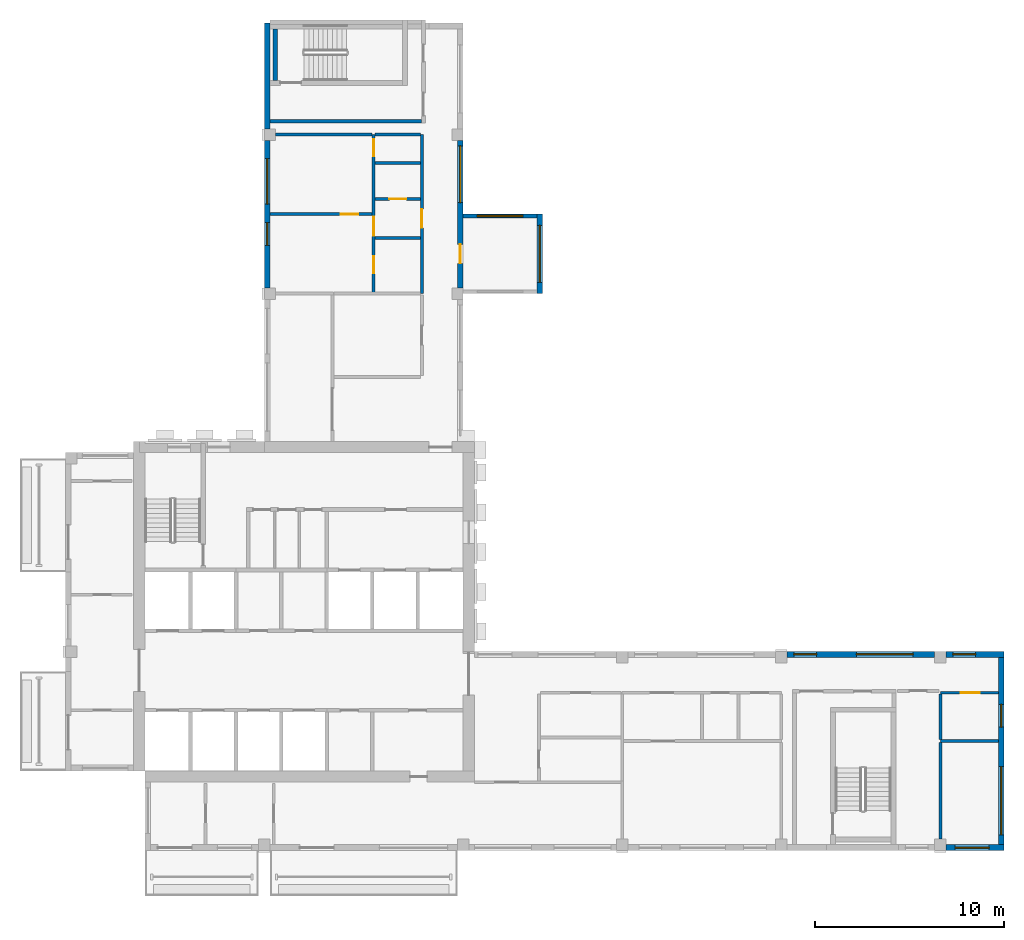
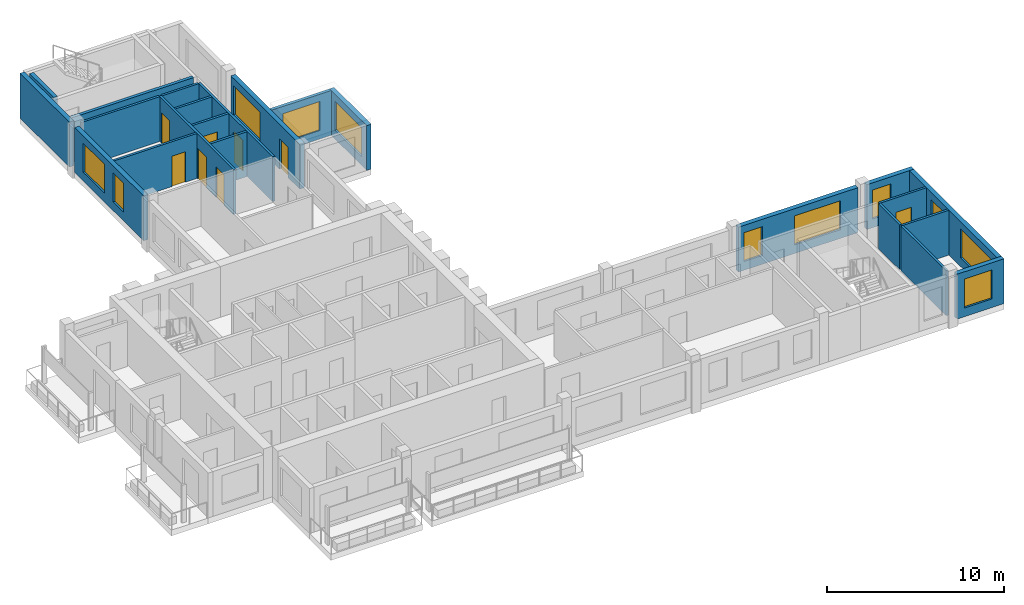
# One storey, part 5 of 10: 23 walls, 11 windows, 8 doors, 19 openings.
"""IFC4 building model written with IfcOpenShell, lengths in metres."""

from ifc_helpers import new_model, si_unit, direction, frame, frame_2d, origin, place, context, subcontext, project, spatial, rectangle, extrude, source, transform, mapped, material, layer, layer_set, type_object, element, fill, save


model = new_model("IFC4")

# Units and contexts
model_context = context("Model", 3, precision=1e-05, world=origin(), true_north=direction((0.0, 1.0)))
body_context = subcontext(model_context, "Body", "Model", "MODEL_VIEW")
ifc_project = project(units=[si_unit("LENGTHUNIT", "METRE"), si_unit("AREAUNIT", "SQUARE_METRE"), si_unit("VOLUMEUNIT", "CUBIC_METRE"), si_unit("PLANEANGLEUNIT", "RADIAN"), si_unit("MASSUNIT", "GRAM", prefix="KILO")], contexts=[model_context])

# Site, building, storey
site_placement = place(None, origin())
site = spatial("IfcSite", under=ifc_project, at=site_placement, CompositionType="ELEMENT")
building_placement = place(site_placement, origin())
building = spatial("IfcBuilding", under=site, at=building_placement, Name="Aurelian Terraces", CompositionType="ELEMENT")
storey_placement = place(building_placement, frame((0.0, 0.0, 354.5)))
storey = spatial("IfcBuildingStorey", under=building, at=storey_placement, Name="L84", CompositionType="ELEMENT", Elevation=354.5)

# Wall, opening, window
ifc_material_1 = material(Name="Concrete fc' 40 MPa", Category="concrete")
ifc_layer_1 = layer(ifc_material_1, 0.2)
ifc_layer_set_1 = layer_set([ifc_layer_1], Name="BOX BEARING WALL 200")
wall_type_1 = type_object("IfcWallType", Name="BOX BEARING WALL 200", PredefinedType="SOLIDWALL", material=ifc_layer_set_1)
shared_shape_1 = source(origin(), body_context, "Body", "SweptSolid", [
    extrude(rectangle(XDim=3.9, YDim=0.2, at=frame_2d((1.95, 0.0))), origin(), (0.0, 0.0, 1.0), 3.1),
])
wall_1_placement = place(storey_placement, frame((21.0, 33.5, 0.0), z_axis=(0.0, 0.0, 1.0), x_axis=(1.0, 0.0, 0.0)))
wall_1 = element("IfcWall", 1, at=wall_1_placement, inside=storey, type_object=wall_type_1, Name="Box return L84 J96.2", PredefinedType="SOLIDWALL", context=body_context, shape_type="MappedRepresentation", body=[
    mapped(shared_shape_1, transform((0.0, 0.0, 0.0), scale=1.0)),
])
shared_shape_2 = source(origin(), body_context, "Body", "SweptSolid", [
    extrude(rectangle(XDim=2.4, YDim=2.0, at=frame_2d((1.2, 1.0))), frame((0.0, 0.11, 0.0), z_axis=(0.0, -1.0, 0.0), x_axis=(1.0, 0.0, 0.0)), (0.0, 0.0, 1.0), 0.22),
])
opening_1_placement = place(wall_1_placement, frame((0.75, 0.0, 0.6)))
opening_1 = element("IfcOpeningElement", 2, at=opening_1_placement, cuts=wall_1, Name="Opening W2420", PredefinedType="OPENING", context=body_context, shape_type="MappedRepresentation", body=[
    mapped(shared_shape_2, transform((0.0, 0.0, 0.0), scale=1.0)),
])
ifc_material_2 = material(Name="Clear glazing", Category="glass")
window_type_1 = type_object("IfcWindowType", Name="W-2400x2000", PartitioningType="SINGLE_PANEL", PredefinedType="WINDOW", material=ifc_material_2)
shared_shape_3 = source(origin(), body_context, "Body", "SweptSolid", [
    extrude(rectangle(XDim=2.4, YDim=2.0, at=frame_2d((1.2, 1.0))), frame((0.0, 0.03, 0.0), z_axis=(0.0, -1.0, 0.0), x_axis=(1.0, 0.0, 0.0)), (0.0, 0.0, 1.0), 0.06),
])
window_1_placement = place(opening_1_placement, origin())
window_1 = element("IfcWindow", 3, at=window_1_placement, inside=storey, type_object=window_type_1, Name="Window L84 J96-S2", OverallHeight=2.0, OverallWidth=2.4, PartitioningType="SINGLE_PANEL", PredefinedType="WINDOW", context=body_context, shape_type="MappedRepresentation", body=[
    mapped(shared_shape_3, transform((0.0, 0.0, 0.0), scale=1.0)),
])
fill(opening_1, window_1)

# Wall, openings, windows
ifc_material_3 = material(Name="Terracotta rainscreen cladding", Category="masonry")
ifc_layer_2 = layer(ifc_material_3, 0.3)
ifc_layer_set_2 = layer_set([ifc_layer_2], Name="EW-300")
wall_type_2 = type_object("IfcWallType", Name="EW-300", PredefinedType="STANDARD", material=ifc_layer_set_2)
shared_shape_4 = source(origin(), body_context, "Body", "SweptSolid", [
    extrude(rectangle(XDim=10.5, YDim=0.3, at=frame_2d((5.25, 0.0))), origin(), (0.0, 0.0, 1.0), 3.1),
])
wall_2_placement = place(storey_placement, frame((49.41, 0.0, 0.0), z_axis=(0.0, 0.0, 1.0), x_axis=(0.0, 1.0, 0.0)))
wall_2 = element("IfcWall", 4, at=wall_2_placement, inside=storey, type_object=wall_type_2, Name="External wall L84 F02.7", PredefinedType="STANDARD", context=body_context, shape_type="MappedRepresentation", body=[
    mapped(shared_shape_4, transform((0.0, 0.0, 0.0), scale=1.0)),
])
shared_shape_5 = source(origin(), body_context, "Body", "SweptSolid", [
    extrude(rectangle(XDim=3.6, YDim=2.0, at=frame_2d((1.8, 1.0))), frame((0.0, 0.16, 0.0), z_axis=(0.0, -1.0, 0.0), x_axis=(1.0, 0.0, 0.0)), (0.0, 0.0, 1.0), 0.32),
])
opening_2_placement = place(wall_2_placement, frame((0.825, 0.0, 0.6)))
opening_2 = element("IfcOpeningElement", 5, at=opening_2_placement, cuts=wall_2, Name="Opening W3620", PredefinedType="OPENING", context=body_context, shape_type="MappedRepresentation", body=[
    mapped(shared_shape_5, transform((0.0, 0.0, 0.0), scale=1.0)),
])
shared_shape_6 = source(origin(), body_context, "Body", "SweptSolid", [
    extrude(rectangle(XDim=1.2, YDim=2.0, at=frame_2d((0.6, 1.0))), frame((0.0, 0.16, 0.0), z_axis=(0.0, -1.0, 0.0), x_axis=(1.0, 0.0, 0.0)), (0.0, 0.0, 1.0), 0.32),
])
opening_3_placement = place(wall_2_placement, frame((6.5125, 0.0, 0.6)))
opening_3 = element("IfcOpeningElement", 6, at=opening_3_placement, cuts=wall_2, Name="Opening W1220", PredefinedType="OPENING", context=body_context, shape_type="MappedRepresentation", body=[
    mapped(shared_shape_6, transform((0.0, 0.0, 0.0), scale=1.0)),
])
window_type_2 = type_object("IfcWindowType", Name="W-1200x2000", PartitioningType="SINGLE_PANEL", PredefinedType="WINDOW", material=ifc_material_2)
shared_shape_7 = source(origin(), body_context, "Body", "SweptSolid", [
    extrude(rectangle(XDim=1.2, YDim=2.0, at=frame_2d((0.6, 1.0))), frame((0.0, 0.03, 0.0), z_axis=(0.0, -1.0, 0.0), x_axis=(1.0, 0.0, 0.0)), (0.0, 0.0, 1.0), 0.06),
])
window_2_placement = place(opening_3_placement, origin())
window_2 = element("IfcWindow", 7, at=window_2_placement, inside=storey, type_object=window_type_2, Name="Window L84 L84-F02-07-1", OverallHeight=2.0, OverallWidth=1.2, PartitioningType="SINGLE_PANEL", PredefinedType="WINDOW", context=body_context, shape_type="MappedRepresentation", body=[
    mapped(shared_shape_7, transform((0.0, 0.0, 0.0), scale=1.0)),
])
fill(opening_3, window_2)
window_type_3 = type_object("IfcWindowType", Name="W-3600x2000", PartitioningType="SINGLE_PANEL", PredefinedType="WINDOW", material=ifc_material_2)
shared_shape_8 = source(origin(), body_context, "Body", "SweptSolid", [
    extrude(rectangle(XDim=3.6, YDim=2.0, at=frame_2d((1.8, 1.0))), frame((0.0, 0.03, 0.0), z_axis=(0.0, -1.0, 0.0), x_axis=(1.0, 0.0, 0.0)), (0.0, 0.0, 1.0), 0.06),
])
window_3_placement = place(opening_2_placement, origin())
window_3 = element("IfcWindow", 8, at=window_3_placement, inside=storey, type_object=window_type_3, Name="Window L84 L84-F02-07-0", OverallHeight=2.0, OverallWidth=3.6, PartitioningType="SINGLE_PANEL", PredefinedType="WINDOW", context=body_context, shape_type="MappedRepresentation", body=[
    mapped(shared_shape_8, transform((0.0, 0.0, 0.0), scale=1.0)),
])
fill(opening_2, window_3)

# Wall, opening, window
shared_shape_9 = source(origin(), body_context, "Body", "SweptSolid", [
    extrude(rectangle(XDim=3.06, YDim=0.3, at=frame_2d((1.53, 0.0))), origin(), (0.0, 0.0, 1.0), 3.1),
])
wall_3_placement = place(storey_placement, frame((46.5, 0.15, 0.0), z_axis=(0.0, 0.0, 1.0), x_axis=(1.0, 0.0, 0.0)))
wall_3 = element("IfcWall", 9, at=wall_3_placement, inside=storey, type_object=wall_type_2, Name="External wall L84 F01.6", PredefinedType="STANDARD", context=body_context, shape_type="MappedRepresentation", body=[
    mapped(shared_shape_9, transform((0.0, 0.0, 0.0), scale=1.0)),
])
shared_shape_10 = source(origin(), body_context, "Body", "SweptSolid", [
    extrude(rectangle(XDim=1.8, YDim=2.0, at=frame_2d((0.9, 1.0))), frame((0.0, 0.16, 0.0), z_axis=(0.0, -1.0, 0.0), x_axis=(1.0, 0.0, 0.0)), (0.0, 0.0, 1.0), 0.32),
])
opening_4_placement = place(wall_3_placement, frame((0.48, 0.0, 0.6)))
opening_4 = element("IfcOpeningElement", 10, at=opening_4_placement, cuts=wall_3, Name="Opening W1820", PredefinedType="OPENING", context=body_context, shape_type="MappedRepresentation", body=[
    mapped(shared_shape_10, transform((0.0, 0.0, 0.0), scale=1.0)),
])
window_type_4 = type_object("IfcWindowType", Name="W-1800x2000", PartitioningType="SINGLE_PANEL", PredefinedType="WINDOW", material=ifc_material_2)
shared_shape_11 = source(origin(), body_context, "Body", "SweptSolid", [
    extrude(rectangle(XDim=1.8, YDim=2.0, at=frame_2d((0.9, 1.0))), frame((0.0, 0.03, 0.0), z_axis=(0.0, -1.0, 0.0), x_axis=(1.0, 0.0, 0.0)), (0.0, 0.0, 1.0), 0.06),
])
window_4_placement = place(opening_4_placement, origin())
window_4 = element("IfcWindow", 11, at=window_4_placement, inside=storey, type_object=window_type_4, Name="Window L84 L84-F01-06-0", OverallHeight=2.0, OverallWidth=1.8, PartitioningType="SINGLE_PANEL", PredefinedType="WINDOW", context=body_context, shape_type="MappedRepresentation", body=[
    mapped(shared_shape_11, transform((0.0, 0.0, 0.0), scale=1.0)),
])
fill(opening_4, window_4)

wall_4_placement = place(storey_placement, frame((49.56, 10.35, 0.0), z_axis=(0.0, 0.0, 1.0), x_axis=(-1.0, 0.0, 0.0)))
wall_4 = element("IfcWall", 12, at=wall_4_placement, inside=storey, type_object=wall_type_2, Name="External wall L84 F03.8", PredefinedType="STANDARD", context=body_context, shape_type="MappedRepresentation", body=[
    mapped(shared_shape_9, transform((0.0, 0.0, 0.0), scale=1.0)),
])
opening_5_placement = place(wall_4_placement, frame((1.5, 0.0, 0.6)))
opening_5 = element("IfcOpeningElement", 13, at=opening_5_placement, cuts=wall_4, Name="Opening W1220", PredefinedType="OPENING", context=body_context, shape_type="MappedRepresentation", body=[
    mapped(shared_shape_6, transform((0.0, 0.0, 0.0), scale=1.0)),
])
window_5_placement = place(opening_5_placement, origin())
window_5 = element("IfcWindow", 14, at=window_5_placement, inside=storey, type_object=window_type_2, Name="Window L84 L84-F03-08-0", OverallHeight=2.0, OverallWidth=1.2, PartitioningType="SINGLE_PANEL", PredefinedType="WINDOW", context=body_context, shape_type="MappedRepresentation", body=[
    mapped(shared_shape_7, transform((0.0, 0.0, 0.0), scale=1.0)),
])
fill(opening_5, window_5)

# Wall, openings, windows
shared_shape_12 = source(origin(), body_context, "Body", "SweptSolid", [
    extrude(rectangle(XDim=7.8, YDim=0.3, at=frame_2d((3.9, 0.0))), origin(), (0.0, 0.0, 1.0), 3.1),
])
wall_5_placement = place(storey_placement, frame((45.9, 10.35, 0.0), z_axis=(0.0, 0.0, 1.0), x_axis=(-1.0, 0.0, 0.0)))
wall_5 = element("IfcWall", 15, at=wall_5_placement, inside=storey, type_object=wall_type_2, Name="External wall L84 F03.8", PredefinedType="STANDARD", context=body_context, shape_type="MappedRepresentation", body=[
    mapped(shared_shape_12, transform((0.0, 0.0, 0.0), scale=1.0)),
])
shared_shape_13 = source(origin(), body_context, "Body", "SweptSolid", [
    extrude(rectangle(XDim=3.0, YDim=2.0, at=frame_2d((1.5, 1.0))), frame((0.0, 0.16, 0.0), z_axis=(0.0, -1.0, 0.0), x_axis=(1.0, 0.0, 0.0)), (0.0, 0.0, 1.0), 0.32),
])
opening_6_placement = place(wall_5_placement, frame((1.14, 0.0, 0.6)))
opening_6 = element("IfcOpeningElement", 16, at=opening_6_placement, cuts=wall_5, Name="Opening W3020", PredefinedType="OPENING", context=body_context, shape_type="MappedRepresentation", body=[
    mapped(shared_shape_13, transform((0.0, 0.0, 0.0), scale=1.0)),
])
opening_7_placement = place(wall_5_placement, frame((6.24, 0.0, 0.6)))
opening_7 = element("IfcOpeningElement", 17, at=opening_7_placement, cuts=wall_5, Name="Opening W1220", PredefinedType="OPENING", context=body_context, shape_type="MappedRepresentation", body=[
    mapped(shared_shape_6, transform((0.0, 0.0, 0.0), scale=1.0)),
])
window_type_5 = type_object("IfcWindowType", Name="W-3000x2000", PartitioningType="SINGLE_PANEL", PredefinedType="WINDOW", material=ifc_material_2)
shared_shape_14 = source(origin(), body_context, "Body", "SweptSolid", [
    extrude(rectangle(XDim=3.0, YDim=2.0, at=frame_2d((1.5, 1.0))), frame((0.0, 0.03, 0.0), z_axis=(0.0, -1.0, 0.0), x_axis=(1.0, 0.0, 0.0)), (0.0, 0.0, 1.0), 0.06),
])
window_6_placement = place(opening_6_placement, origin())
window_6 = element("IfcWindow", 18, at=window_6_placement, inside=storey, type_object=window_type_5, Name="Window L84 L84-F03-08-1", OverallHeight=2.0, OverallWidth=3.0, PartitioningType="SINGLE_PANEL", PredefinedType="WINDOW", context=body_context, shape_type="MappedRepresentation", body=[
    mapped(shared_shape_14, transform((0.0, 0.0, 0.0), scale=1.0)),
])
fill(opening_6, window_6)
window_7_placement = place(opening_7_placement, origin())
window_7 = element("IfcWindow", 19, at=window_7_placement, inside=storey, type_object=window_type_2, Name="Window L84 L84-F03-08-2", OverallHeight=2.0, OverallWidth=1.2, PartitioningType="SINGLE_PANEL", PredefinedType="WINDOW", context=body_context, shape_type="MappedRepresentation", body=[
    mapped(shared_shape_7, transform((0.0, 0.0, 0.0), scale=1.0)),
])
fill(opening_7, window_7)

# Wall, openings, window, door
wall_6_placement = place(storey_placement, frame((20.85, 29.7, 0.0), z_axis=(0.0, 0.0, 1.0), x_axis=(0.0, 1.0, 0.0)))
wall_6 = element("IfcWall", 20, at=wall_6_placement, inside=storey, type_object=wall_type_2, Name="External wall L84 F04.11", PredefinedType="STANDARD", context=body_context, shape_type="MappedRepresentation", body=[
    mapped(shared_shape_12, transform((0.0, 0.0, 0.0), scale=1.0)),
])
opening_8_placement = place(wall_6_placement, frame((4.5, 0.0, 0.6)))
opening_8 = element("IfcOpeningElement", 21, at=opening_8_placement, cuts=wall_6, Name="Opening W3020", PredefinedType="OPENING", context=body_context, shape_type="MappedRepresentation", body=[
    mapped(shared_shape_13, transform((0.0, 0.0, 0.0), scale=1.0)),
])
shared_shape_15 = source(origin(), body_context, "Body", "SweptSolid", [
    extrude(rectangle(XDim=1.0, YDim=2.1, at=frame_2d((0.5, 1.05))), frame((0.0, 0.16, 0.0), z_axis=(0.0, -1.0, 0.0), x_axis=(1.0, 0.0, 0.0)), (0.0, 0.0, 1.0), 0.32),
])
opening_9_placement = place(wall_6_placement, frame((1.3, 0.0, 0.0)))
opening_9 = element("IfcOpeningElement", 22, at=opening_9_placement, cuts=wall_6, Name="Opening 884001", PredefinedType="OPENING", context=body_context, shape_type="MappedRepresentation", body=[
    mapped(shared_shape_15, transform((0.0, 0.0, 0.0), scale=1.0)),
])
window_8_placement = place(opening_8_placement, origin())
window_8 = element("IfcWindow", 23, at=window_8_placement, inside=storey, type_object=window_type_5, Name="Window L84 L84-F04-11-1", OverallHeight=2.0, OverallWidth=3.0, PartitioningType="SINGLE_PANEL", PredefinedType="WINDOW", context=body_context, shape_type="MappedRepresentation", body=[
    mapped(shared_shape_14, transform((0.0, 0.0, 0.0), scale=1.0)),
])
fill(opening_8, window_8)
ifc_material_4 = material(Name="Timber door leaf", Category="wood")
door_type_1 = type_object("IfcDoorType", Name="Room door 1000x2100 left", OperationType="SINGLE_SWING_LEFT", PredefinedType="DOOR", material=ifc_material_4)
shared_shape_16 = source(origin(), body_context, "Body", "SweptSolid", [
    extrude(rectangle(XDim=1.0, YDim=2.1, at=frame_2d((0.5, 1.05))), frame((0.0, 0.025, 0.0), z_axis=(0.0, -1.0, 0.0), x_axis=(1.0, 0.0, 0.0)), (0.0, 0.0, 1.0), 0.05),
])
door_1_placement = place(opening_9_placement, origin())
door_1 = element("IfcDoor", 24, at=door_1_placement, inside=storey, type_object=door_type_1, Name="Door 884001", OperationType="SINGLE_SWING_LEFT", OverallHeight=2.1, OverallWidth=1.0, PredefinedType="DOOR", context=body_context, shape_type="MappedRepresentation", body=[
    mapped(shared_shape_16, transform((0.0, 0.0, 0.0), scale=1.0)),
])
fill(opening_9, door_1)

# Wall, openings, windows
wall_7_placement = place(storey_placement, frame((10.65, 37.5, 0.0), z_axis=(0.0, 0.0, 1.0), x_axis=(0.0, -1.0, 0.0)))
wall_7 = element("IfcWall", 25, at=wall_7_placement, inside=storey, type_object=wall_type_2, Name="External wall L84 F06.14", PredefinedType="STANDARD", context=body_context, shape_type="MappedRepresentation", body=[
    mapped(shared_shape_12, transform((0.0, 0.0, 0.0), scale=1.0)),
])
opening_10_placement = place(wall_7_placement, frame((4.3475, 0.0, 0.6)))
opening_10 = element("IfcOpeningElement", 26, at=opening_10_placement, cuts=wall_7, Name="Opening W1220", PredefinedType="OPENING", context=body_context, shape_type="MappedRepresentation", body=[
    mapped(shared_shape_6, transform((0.0, 0.0, 0.0), scale=1.0)),
])
shared_shape_17 = source(origin(), body_context, "Body", "SweptSolid", [
    extrude(rectangle(XDim=2.4, YDim=2.0, at=frame_2d((1.2, 1.0))), frame((0.0, 0.16, 0.0), z_axis=(0.0, -1.0, 0.0), x_axis=(1.0, 0.0, 0.0)), (0.0, 0.0, 1.0), 0.32),
])
opening_11_placement = place(wall_7_placement, frame((0.9737, 0.0, 0.6)))
opening_11 = element("IfcOpeningElement", 27, at=opening_11_placement, cuts=wall_7, Name="Opening W2420", PredefinedType="OPENING", context=body_context, shape_type="MappedRepresentation", body=[
    mapped(shared_shape_17, transform((0.0, 0.0, 0.0), scale=1.0)),
])
window_9_placement = place(opening_10_placement, origin())
window_9 = element("IfcWindow", 28, at=window_9_placement, inside=storey, type_object=window_type_2, Name="Window L84 L84-F06-14-2", OverallHeight=2.0, OverallWidth=1.2, PartitioningType="SINGLE_PANEL", PredefinedType="WINDOW", context=body_context, shape_type="MappedRepresentation", body=[
    mapped(shared_shape_7, transform((0.0, 0.0, 0.0), scale=1.0)),
])
fill(opening_10, window_9)
window_10_placement = place(opening_11_placement, origin())
window_10 = element("IfcWindow", 29, at=window_10_placement, inside=storey, type_object=window_type_1, Name="Window L84 L84-F06-14-G1-62", OverallHeight=2.0, OverallWidth=2.4, PartitioningType="SINGLE_PANEL", PredefinedType="WINDOW", context=body_context, shape_type="MappedRepresentation", body=[
    mapped(shared_shape_3, transform((0.0, 0.0, 0.0), scale=1.0)),
])
fill(opening_11, window_10)

# Wall
ifc_layer_3 = layer(ifc_material_1, 0.3)
ifc_layer_set_3 = layer_set([ifc_layer_3], Name="STAIR BAY WALL 300")
wall_type_3 = type_object("IfcWallType", Name="STAIR BAY WALL 300", PredefinedType="SOLIDWALL", material=ifc_layer_set_3)
shared_shape_18 = source(origin(), body_context, "Body", "SweptSolid", [
    extrude(rectangle(XDim=5.58, YDim=0.3, at=frame_2d((2.79, 0.0))), origin(), (0.0, 0.0, 1.0), 3.1),
])
wall_8_placement = place(storey_placement, frame((10.65, 43.68, 0.0), z_axis=(0.0, 0.0, 1.0), x_axis=(0.0, -1.0, 0.0)))
element("IfcWall", 30, at=wall_8_placement, inside=storey, type_object=wall_type_3, Name="Stair bay wall L84 F06.14", PredefinedType="SOLIDWALL", context=body_context, shape_type="MappedRepresentation", body=[
    mapped(shared_shape_18, transform((0.0, 0.0, 0.0), scale=1.0)),
])

# Wall, opening, window
ifc_layer_4 = layer(ifc_material_1, 0.3)
ifc_layer_set_4 = layer_set([ifc_layer_4], Name="BOX BEARING WALL 300")
wall_type_4 = type_object("IfcWallType", Name="BOX BEARING WALL 300", PredefinedType="SOLIDWALL", material=ifc_layer_set_4)
shared_shape_19 = source(origin(), body_context, "Body", "SweptSolid", [
    extrude(rectangle(XDim=4.2, YDim=0.3, at=frame_2d((2.1, 0.0))), origin(), (0.0, 0.0, 1.0), 3.1),
])
wall_9_placement = place(storey_placement, frame((25.05, 29.4, 0.0), z_axis=(0.0, 0.0, 1.0), x_axis=(0.0, 1.0, 0.0)))
wall_9 = element("IfcWall", 31, at=wall_9_placement, inside=storey, type_object=wall_type_4, Name="Box wall L84 J96", PredefinedType="SOLIDWALL", context=body_context, shape_type="MappedRepresentation", body=[
    mapped(shared_shape_19, transform((0.0, 0.0, 0.0), scale=1.0)),
])
opening_12_placement = place(wall_9_placement, frame((0.6, 0.0, 0.6)))
opening_12 = element("IfcOpeningElement", 32, at=opening_12_placement, cuts=wall_9, Name="Opening W3020", PredefinedType="OPENING", context=body_context, shape_type="MappedRepresentation", body=[
    mapped(shared_shape_13, transform((0.0, 0.0, 0.0), scale=1.0)),
])
window_11_placement = place(opening_12_placement, origin())
window_11 = element("IfcWindow", 33, at=window_11_placement, inside=storey, type_object=window_type_5, Name="Window L84 J96-F1", OverallHeight=2.0, OverallWidth=3.0, PartitioningType="SINGLE_PANEL", PredefinedType="WINDOW", context=body_context, shape_type="MappedRepresentation", body=[
    mapped(shared_shape_14, transform((0.0, 0.0, 0.0), scale=1.0)),
])
fill(opening_12, window_11)

# Walls
ifc_material_5 = material(Name="Gypsum board on steel studs", Category="steel")
ifc_layer_5 = layer(ifc_material_5, 0.2)
ifc_layer_set_5 = layer_set([ifc_layer_5], Name="Core partition 200")
wall_type_5 = type_object("IfcWallType", Name="Core partition 200", PredefinedType="PARTITIONING", material=ifc_layer_set_5)
shared_shape_20 = source(origin(), body_context, "Body", "SweptSolid", [
    extrude(rectangle(XDim=8.0, YDim=0.2, at=frame_2d((4.0, 0.0))), origin(), (0.0, 0.0, 1.0), 3.1),
])
wall_10_placement = place(storey_placement, frame((10.8, 38.5, 0.0), z_axis=(0.0, 0.0, 1.0), x_axis=(1.0, 0.0, 0.0)))
element("IfcWall", 34, at=wall_10_placement, inside=storey, type_object=wall_type_5, Name="L84 core wall ST-S3U-VW", PredefinedType="PARTITIONING", context=body_context, shape_type="MappedRepresentation", body=[
    mapped(shared_shape_20, transform((0.0, 0.0, 0.0), scale=1.0)),
])
ifc_layer_6 = layer(ifc_material_1, 0.25)
ifc_layer_set_6 = layer_set([ifc_layer_6], Name="Stair enclosure wall 250")
wall_type_6 = type_object("IfcWallType", Name="Stair enclosure wall 250", PredefinedType="SOLIDWALL", material=ifc_layer_set_6)
shared_shape_21 = source(origin(), body_context, "Body", "SweptSolid", [
    extrude(rectangle(XDim=2.73, YDim=0.25, at=frame_2d((1.365, 0.0))), origin(), (0.0, 0.0, 1.0), 3.1),
])
wall_11_placement = place(storey_placement, frame((11.075, 40.65, 0.0), z_axis=(0.0, 0.0, 1.0), x_axis=(0.0, 1.0, 0.0)))
element("IfcWall", 35, at=wall_11_placement, inside=storey, type_object=wall_type_6, Name="L84 core wall ST-S3U-SS", PredefinedType="SOLIDWALL", context=body_context, shape_type="MappedRepresentation", body=[
    mapped(shared_shape_21, transform((0.0, 0.0, 0.0), scale=1.0)),
])

# Wall, openings, doors
ifc_layer_7 = layer(ifc_material_5, 0.15)
ifc_layer_set_7 = layer_set([ifc_layer_7], Name="Partition 150")
wall_type_7 = type_object("IfcWallType", Name="Partition 150", PredefinedType="PARTITIONING", material=ifc_layer_set_7)
shared_shape_22 = source(origin(), body_context, "Body", "SweptSolid", [
    extrude(rectangle(XDim=8.4, YDim=0.15, at=frame_2d((4.2, 0.0))), origin(), (0.0, 0.0, 1.0), 3.1),
])
wall_12_placement = place(storey_placement, frame((16.275, 29.4, 0.0), z_axis=(0.0, 0.0, 1.0), x_axis=(0.0, 1.0, 0.0)))
wall_12 = element("IfcWall", 36, at=wall_12_placement, inside=storey, type_object=wall_type_7, Name="Partition", PredefinedType="PARTITIONING", context=body_context, shape_type="MappedRepresentation", body=[
    mapped(shared_shape_22, transform((0.0, 0.0, 0.0), scale=1.0)),
])
shared_shape_23 = source(origin(), body_context, "Body", "SweptSolid", [
    extrude(rectangle(XDim=1.0, YDim=2.1, at=frame_2d((0.5, 1.05))), frame((0.0, 0.085, 0.0), z_axis=(0.0, -1.0, 0.0), x_axis=(1.0, 0.0, 0.0)), (0.0, 0.0, 1.0), 0.17),
])
opening_13_placement = place(wall_12_placement, frame((3.068, 0.0, 0.0)))
opening_13 = element("IfcOpeningElement", 37, at=opening_13_placement, cuts=wall_12, Name="Opening 784018", PredefinedType="OPENING", context=body_context, shape_type="MappedRepresentation", body=[
    mapped(shared_shape_23, transform((0.0, 0.0, 0.0), scale=1.0)),
])
shared_shape_24 = source(origin(), body_context, "Body", "SweptSolid", [
    extrude(rectangle(XDim=0.9, YDim=2.1, at=frame_2d((0.45, 1.05))), frame((0.0, 0.085, 0.0), z_axis=(0.0, -1.0, 0.0), x_axis=(1.0, 0.0, 0.0)), (0.0, 0.0, 1.0), 0.17),
])
opening_14_placement = place(wall_12_placement, frame((1.0675, 0.0, 0.0)))
opening_14 = element("IfcOpeningElement", 38, at=opening_14_placement, cuts=wall_12, Name="Opening 784019", PredefinedType="OPENING", context=body_context, shape_type="MappedRepresentation", body=[
    mapped(shared_shape_24, transform((0.0, 0.0, 0.0), scale=1.0)),
])
opening_15_placement = place(wall_12_placement, frame((7.2515, 0.0, 0.0)))
opening_15 = element("IfcOpeningElement", 39, at=opening_15_placement, cuts=wall_12, Name="Opening 784021", PredefinedType="OPENING", context=body_context, shape_type="MappedRepresentation", body=[
    mapped(shared_shape_24, transform((0.0, 0.0, 0.0), scale=1.0)),
])
door_type_2 = type_object("IfcDoorType", Name="Room door 1000x2100 right", OperationType="SINGLE_SWING_RIGHT", PredefinedType="DOOR", material=ifc_material_4)
door_2_placement = place(opening_13_placement, origin())
door_2 = element("IfcDoor", 40, at=door_2_placement, inside=storey, type_object=door_type_2, Name="Door 784018", OperationType="SINGLE_SWING_RIGHT", OverallHeight=2.1, OverallWidth=1.0, PredefinedType="DOOR", context=body_context, shape_type="MappedRepresentation", body=[
    mapped(shared_shape_16, transform((0.0, 0.0, 0.0), scale=1.0)),
])
fill(opening_13, door_2)
door_type_3 = type_object("IfcDoorType", Name="Room door 900x2100 left", OperationType="SINGLE_SWING_LEFT", PredefinedType="DOOR", material=ifc_material_4)
shared_shape_25 = source(origin(), body_context, "Body", "SweptSolid", [
    extrude(rectangle(XDim=0.9, YDim=2.1, at=frame_2d((0.45, 1.05))), frame((0.0, 0.025, 0.0), z_axis=(0.0, -1.0, 0.0), x_axis=(1.0, 0.0, 0.0)), (0.0, 0.0, 1.0), 0.05),
])
door_3_placement = place(opening_14_placement, origin())
door_3 = element("IfcDoor", 41, at=door_3_placement, inside=storey, type_object=door_type_3, Name="Door 784019", OperationType="SINGLE_SWING_LEFT", OverallHeight=2.1, OverallWidth=0.9, PredefinedType="DOOR", context=body_context, shape_type="MappedRepresentation", body=[
    mapped(shared_shape_25, transform((0.0, 0.0, 0.0), scale=1.0)),
])
fill(opening_14, door_3)
door_4_placement = place(opening_15_placement, origin())
door_4 = element("IfcDoor", 42, at=door_4_placement, inside=storey, type_object=door_type_3, Name="Door 784021", OperationType="SINGLE_SWING_LEFT", OverallHeight=2.1, OverallWidth=0.9, PredefinedType="DOOR", context=body_context, shape_type="MappedRepresentation", body=[
    mapped(shared_shape_25, transform((0.0, 0.0, 0.0), scale=1.0)),
])
fill(opening_15, door_4)

# Wall, opening, door
ifc_layer_8 = layer(ifc_material_5, 0.15)
ifc_layer_set_8 = layer_set([ifc_layer_8], Name="Fire partition 150")
wall_type_8 = type_object("IfcWallType", Name="Fire partition 150", PredefinedType="PARTITIONING", material=ifc_layer_set_8)
wall_13_placement = place(storey_placement, frame((18.825, 29.4, 0.0), z_axis=(0.0, 0.0, 1.0), x_axis=(0.0, 1.0, 0.0)))
wall_13 = element("IfcWall", 43, at=wall_13_placement, inside=storey, type_object=wall_type_8, Name="Corridor wall", PredefinedType="PARTITIONING", context=body_context, shape_type="MappedRepresentation", body=[
    mapped(shared_shape_22, transform((0.0, 0.0, 0.0), scale=1.0)),
])
opening_16_placement = place(wall_13_placement, frame((3.4667, 0.0, 0.0)))
opening_16 = element("IfcOpeningElement", 44, at=opening_16_placement, cuts=wall_13, Name="Opening 784017", PredefinedType="OPENING", context=body_context, shape_type="MappedRepresentation", body=[
    mapped(shared_shape_23, transform((0.0, 0.0, 0.0), scale=1.0)),
])
ifc_material_6 = material(Name="Steel door leaf", Category="steel")
door_type_4 = type_object("IfcDoorType", Name="Entrance fire door 1000x2100 left", OperationType="SINGLE_SWING_LEFT", PredefinedType="DOOR", material=ifc_material_6)
door_5_placement = place(opening_16_placement, origin())
door_5 = element("IfcDoor", 45, at=door_5_placement, inside=storey, type_object=door_type_4, Name="Door 784017", OperationType="SINGLE_SWING_LEFT", OverallHeight=2.1, OverallWidth=1.0, PredefinedType="DOOR", context=body_context, shape_type="MappedRepresentation", body=[
    mapped(shared_shape_16, transform((0.0, 0.0, 0.0), scale=1.0)),
])
fill(opening_16, door_5)

# Wall
shared_shape_26 = source(origin(), body_context, "Body", "SweptSolid", [
    extrude(rectangle(XDim=3.06, YDim=0.15, at=frame_2d((1.53, 0.0))), origin(), (0.0, 0.0, 1.0), 3.1),
])
wall_14_placement = place(storey_placement, frame((49.26, 5.775, 0.0), z_axis=(0.0, 0.0, 1.0), x_axis=(-1.0, 0.0, 0.0)))
element("IfcWall", 46, at=wall_14_placement, inside=storey, type_object=wall_type_7, Name="Partition", PredefinedType="PARTITIONING", context=body_context, shape_type="MappedRepresentation", body=[
    mapped(shared_shape_26, transform((0.0, 0.0, 0.0), scale=1.0)),
])

# Wall, opening, door
wall_15_placement = place(storey_placement, frame((49.26, 8.325, 0.0), z_axis=(0.0, 0.0, 1.0), x_axis=(-1.0, 0.0, 0.0)))
wall_15 = element("IfcWall", 47, at=wall_15_placement, inside=storey, type_object=wall_type_8, Name="Corridor wall", PredefinedType="PARTITIONING", context=body_context, shape_type="MappedRepresentation", body=[
    mapped(shared_shape_26, transform((0.0, 0.0, 0.0), scale=1.0)),
])
opening_17_placement = place(wall_15_placement, frame((0.9925, 0.0, 0.0)))
opening_17 = element("IfcOpeningElement", 48, at=opening_17_placement, cuts=wall_15, Name="Opening 784011", PredefinedType="OPENING", context=body_context, shape_type="MappedRepresentation", body=[
    mapped(shared_shape_23, transform((0.0, 0.0, 0.0), scale=1.0)),
])
door_6_placement = place(opening_17_placement, origin())
door_6 = element("IfcDoor", 49, at=door_6_placement, inside=storey, type_object=door_type_4, Name="Door 784011", OperationType="SINGLE_SWING_LEFT", OverallHeight=2.1, OverallWidth=1.0, PredefinedType="DOOR", context=body_context, shape_type="MappedRepresentation", body=[
    mapped(shared_shape_16, transform((0.0, 0.0, 0.0), scale=1.0)),
])
fill(opening_17, door_6)

# Walls
shared_shape_27 = source(origin(), body_context, "Body", "SweptSolid", [
    extrude(rectangle(XDim=2.4, YDim=0.15, at=frame_2d((1.2, 0.0))), origin(), (0.0, 0.0, 1.0), 3.1),
])
wall_16_placement = place(storey_placement, frame((46.2, 5.85, 0.0), z_axis=(0.0, 0.0, 1.0), x_axis=(0.0, 1.0, 0.0)))
element("IfcWall", 50, at=wall_16_placement, inside=storey, type_object=wall_type_8, Name="Party wall", PredefinedType="PARTITIONING", context=body_context, shape_type="MappedRepresentation", body=[
    mapped(shared_shape_27, transform((0.0, 0.0, 0.0), scale=1.0)),
])
wall_17_placement = place(storey_placement, frame((18.75, 32.335, 0.0), z_axis=(0.0, 0.0, 1.0), x_axis=(-1.0, 0.0, 0.0)))
element("IfcWall", 51, at=wall_17_placement, inside=storey, type_object=wall_type_7, Name="Partition", PredefinedType="PARTITIONING", context=body_context, shape_type="MappedRepresentation", body=[
    mapped(shared_shape_27, transform((0.0, 0.0, 0.0), scale=1.0)),
])

# Wall, opening, door
wall_18_placement = place(storey_placement, frame((18.75, 34.3983, 0.0), z_axis=(0.0, 0.0, 1.0), x_axis=(-1.0, 0.0, 0.0)))
wall_18 = element("IfcWall", 52, at=wall_18_placement, inside=storey, type_object=wall_type_7, Name="Partition", PredefinedType="PARTITIONING", context=body_context, shape_type="MappedRepresentation", body=[
    mapped(shared_shape_27, transform((0.0, 0.0, 0.0), scale=1.0)),
])
opening_18_placement = place(wall_18_placement, frame((0.75, 0.0, 0.0)))
opening_18 = element("IfcOpeningElement", 53, at=opening_18_placement, cuts=wall_18, Name="Opening 784020", PredefinedType="OPENING", context=body_context, shape_type="MappedRepresentation", body=[
    mapped(shared_shape_24, transform((0.0, 0.0, 0.0), scale=1.0)),
])
door_type_5 = type_object("IfcDoorType", Name="Room door 900x2100 right", OperationType="SINGLE_SWING_RIGHT", PredefinedType="DOOR", material=ifc_material_4)
door_7_placement = place(opening_18_placement, origin())
door_7 = element("IfcDoor", 54, at=door_7_placement, inside=storey, type_object=door_type_5, Name="Door 784020", OperationType="SINGLE_SWING_RIGHT", OverallHeight=2.1, OverallWidth=0.9, PredefinedType="DOOR", context=body_context, shape_type="MappedRepresentation", body=[
    mapped(shared_shape_25, transform((0.0, 0.0, 0.0), scale=1.0)),
])
fill(opening_18, door_7)

# Walls
wall_19_placement = place(storey_placement, frame((18.75, 36.3029, 0.0), z_axis=(0.0, 0.0, 1.0), x_axis=(-1.0, 0.0, 0.0)))
element("IfcWall", 55, at=wall_19_placement, inside=storey, type_object=wall_type_7, Name="Partition", PredefinedType="PARTITIONING", context=body_context, shape_type="MappedRepresentation", body=[
    mapped(shared_shape_27, transform((0.0, 0.0, 0.0), scale=1.0)),
])
wall_20_placement = place(storey_placement, frame((18.75, 37.8, 0.0), z_axis=(0.0, 0.0, 1.0), x_axis=(-1.0, 0.0, 0.0)))
element("IfcWall", 56, at=wall_20_placement, inside=storey, type_object=wall_type_8, Name="Party wall", PredefinedType="PARTITIONING", context=body_context, shape_type="MappedRepresentation", body=[
    mapped(shared_shape_27, transform((0.0, 0.0, 0.0), scale=1.0)),
])
shared_shape_28 = source(origin(), body_context, "Body", "SweptSolid", [
    extrude(rectangle(XDim=5.101, YDim=0.15, at=frame_2d((2.5505, 0.0))), origin(), (0.0, 0.0, 1.0), 3.1),
])
for number, where, z_axis, x_axis, name in (
    (57, (46.2, 0.599, 0.0), (0.0, 0.0, 1.0), (0.0, 1.0, 0.0), "Party wall"),
    (58, (16.2, 37.8, 0.0), (0.0, 0.0, 1.0), (-1.0, 0.0, 0.0), "Party wall"),
):
    element("IfcWall", number, at=place(storey_placement, frame(where, z_axis=z_axis, x_axis=x_axis)), inside=storey, type_object=wall_type_8, Name=name, PredefinedType="PARTITIONING", context=body_context, shape_type="MappedRepresentation", body=[
        mapped(shared_shape_28, transform((0.0, 0.0, 0.0), scale=1.0)),
    ])

# Wall, opening, door
shared_shape_29 = source(origin(), body_context, "Body", "SweptSolid", [
    extrude(rectangle(XDim=5.4, YDim=0.15, at=frame_2d((2.7, 0.0))), origin(), (0.0, 0.0, 1.0), 3.1),
])
wall_21_placement = place(storey_placement, frame((16.2, 33.6, 0.0), z_axis=(0.0, 0.0, 1.0), x_axis=(-1.0, 0.0, 0.0)))
wall_21 = element("IfcWall", 59, at=wall_21_placement, inside=storey, type_object=wall_type_7, Name="Partition", PredefinedType="PARTITIONING", context=body_context, shape_type="MappedRepresentation", body=[
    mapped(shared_shape_29, transform((0.0, 0.0, 0.0), scale=1.0)),
])
opening_19_placement = place(wall_21_placement, frame((0.75, 0.0, 0.0)))
opening_19 = element("IfcOpeningElement", 60, at=opening_19_placement, cuts=wall_21, Name="Opening 784022", PredefinedType="OPENING", context=body_context, shape_type="MappedRepresentation", body=[
    mapped(shared_shape_24, transform((0.0, 0.0, 0.0), scale=1.0)),
])
door_8_placement = place(opening_19_placement, origin())
door_8 = element("IfcDoor", 61, at=door_8_placement, inside=storey, type_object=door_type_5, Name="Door 784022", OperationType="SINGLE_SWING_RIGHT", OverallHeight=2.1, OverallWidth=0.9, PredefinedType="DOOR", context=body_context, shape_type="MappedRepresentation", body=[
    mapped(shared_shape_25, transform((0.0, 0.0, 0.0), scale=1.0)),
])
fill(opening_19, door_8)

save(model, "model.ifc")
